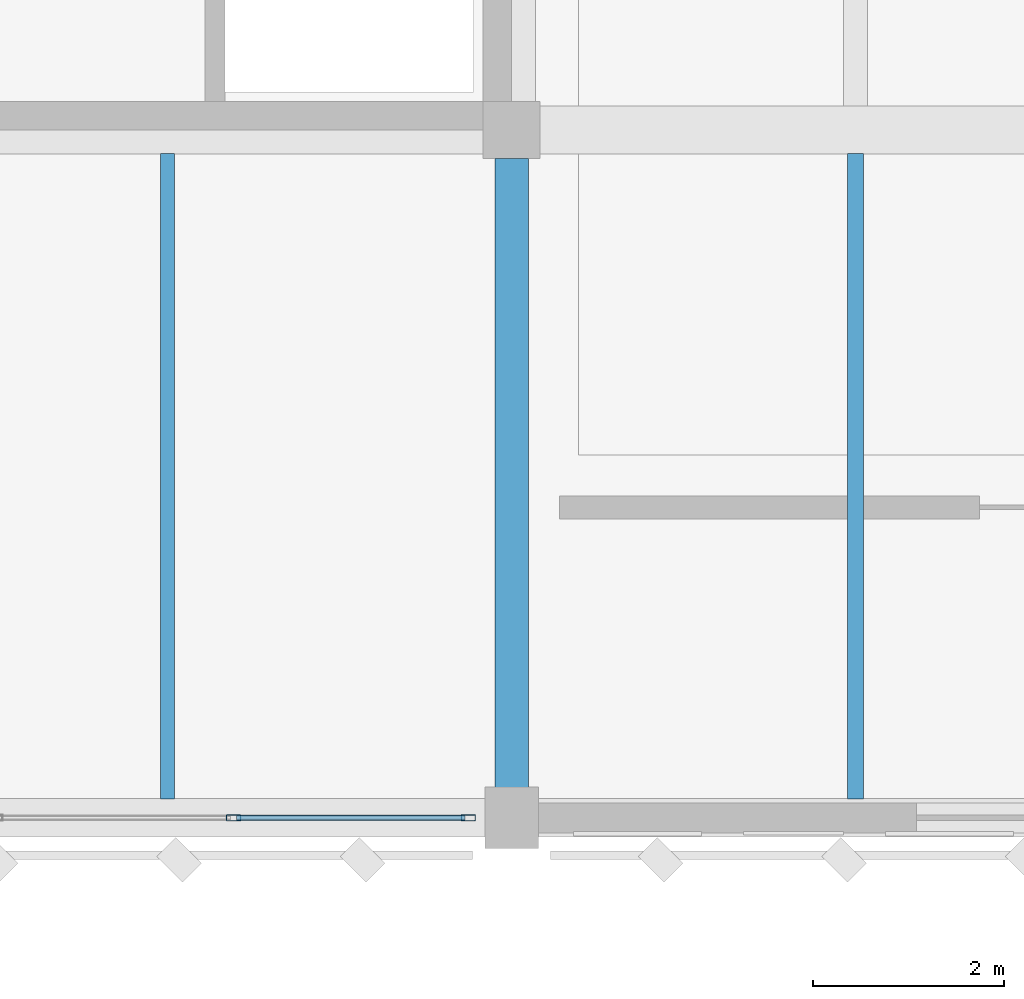
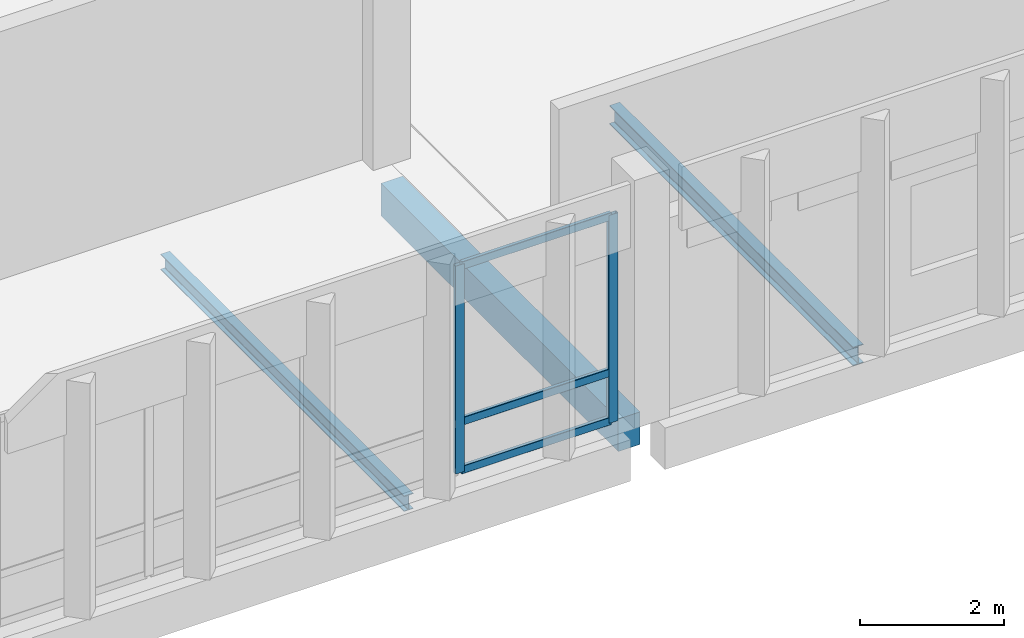
# One storey, part 56 of 158: 5 members, 3 beams, 1 element without a shape of its own.
"""IFC4 building model written with IfcOpenShell, lengths in metres."""

from ifc_helpers import new_model, si_unit, direction, frame, origin, origin_2d, place, context, subcontext, project, spatial, rectangle, hollow_rectangle, i_section, extrude, material, material_profile, profile_set, type_object, element, aggregate, save


model = new_model("IFC4")

# Units and contexts
model_context = context("Model", 3, precision=1e-05, world=origin(), true_north=direction((0.0, 1.0)))
body_context = subcontext(model_context, "Body", "Model", "MODEL_VIEW")
ifc_project = project(units=[si_unit("LENGTHUNIT", "METRE"), si_unit("AREAUNIT", "SQUARE_METRE"), si_unit("VOLUMEUNIT", "CUBIC_METRE"), si_unit("PLANEANGLEUNIT", "RADIAN"), si_unit("MASSUNIT", "GRAM", prefix="KILO")], contexts=[model_context])

# Site, building, storey
site_placement = place(None, origin())
site = spatial("IfcSite", under=ifc_project, at=site_placement, CompositionType="ELEMENT")
building_placement = place(site_placement, origin())
building = spatial("IfcBuilding", under=site, at=building_placement, Name="Lusvemor Sports Hall", CompositionType="ELEMENT")
storey_placement = place(building_placement, frame((0.0, 0.0, 10.800048828125)))
storey = spatial("IfcBuildingStorey", under=building, at=storey_placement, Name="L02", CompositionType="ELEMENT", Elevation=10.800048828125)

# Beam
ifc_material_1 = material(Name="Concrete C40/50", Category="concrete")
ifc_material_profile_1 = material_profile(ifc_material_1, rectangle(XDim=0.35009765625, YDim=0.550048828125, at=origin_2d()), Name="RC350x550")
ifc_profile_set_1 = profile_set([ifc_material_profile_1], Name="Concrete C40/50")
beam_type_1 = type_object("IfcBeamType", Name="BEAM_RC_550", PredefinedType="BEAM", material=ifc_profile_set_1)
beam_1_placement = place(storey_placement, frame((64.800048828125, 97.51611328125, -0.53515625), z_axis=(0.0, 1.0, 0.0), x_axis=(-1.0, 0.0, 0.0)))
element("IfcBeam", 1, at=beam_1_placement, inside=storey, type_object=beam_type_1, Name="Beam L02 7:N-P", PredefinedType="BEAM", context=body_context, shape_type="SweptSolid", body=[
    extrude(rectangle(XDim=0.35009765625, YDim=0.550048828125, at=origin_2d()), origin(), (0.0, 0.0, 1.0), 6.587890625),
])

# Curtain wall, members
ifc_material_2 = material(Name="Thermally broken bronze-anodized aluminium", Category="aluminium")
curtain_wall_type = type_object("IfcCurtainWallType", Name="CW_WING_B", PredefinedType="NOTDEFINED", material=ifc_material_2)
curtain_wall_placement = place(storey_placement, origin())
curtain_wall = element("IfcCurtainWall", 2, at=curtain_wall_placement, inside=storey, type_object=curtain_wall_type, Name="Curtain Wall CW-L02-S-3-3", PredefinedType="NOTDEFINED")
ifc_material_3 = material(Name="Thermally broken bronze-anodized aluminium", Category="aluminium")
ifc_material_profile_2 = material_profile(ifc_material_3, hollow_rectangle(XDim=0.06494140625, YDim=0.14990234375, WallThickness=0.00390625, InnerFilletRadius=0.00390625, OuterFilletRadius=0.008056640625, at=origin_2d()), Name="CWMUL150x65x4")
ifc_profile_set_2 = profile_set([ifc_material_profile_2], Name="Thermally broken bronze-anodized aluminium")
member_type_1 = type_object("IfcMemberType", Name="CW_MUL_B", PredefinedType="MULLION", material=ifc_profile_set_2)
member_1_placement = place(storey_placement, frame((64.347412109375, 97.199951171875, 0.0), z_axis=(0.0, 0.0, 1.0), x_axis=(0.0, -1.0, 0.0)))
member_1 = element("IfcMember", 3, at=member_1_placement, type_object=member_type_1, Name="CW02 mullion 1", PredefinedType="MULLION", context=body_context, shape_type="SweptSolid", body=[
    extrude(hollow_rectangle(XDim=0.06494140625, YDim=0.14990234375, WallThickness=0.00390625, InnerFilletRadius=0.00390625, OuterFilletRadius=0.008056640625, at=origin_2d()), origin(), (0.0, 0.0, 1.0), 3.52001953125),
])
member_2_placement = place(storey_placement, frame((61.889892578125, 97.199951171875, 0.0), z_axis=(0.0, 0.0, 1.0), x_axis=(0.0, -1.0, 0.0)))
member_2 = element("IfcMember", 4, at=member_2_placement, type_object=member_type_1, Name="CW02 mullion 2", PredefinedType="MULLION", context=body_context, shape_type="SweptSolid", body=[
    extrude(hollow_rectangle(XDim=0.06494140625, YDim=0.14990234375, WallThickness=0.00390625, InnerFilletRadius=0.00390625, OuterFilletRadius=0.008056640625, at=origin_2d()), origin(), (0.0, 0.0, 1.0), 3.52001953125),
])
ifc_material_4 = material(Name="Thermally broken bronze-anodized aluminium", Category="aluminium")
ifc_material_profile_3 = material_profile(ifc_material_4, hollow_rectangle(XDim=0.06005859375, YDim=0.135009765625, WallThickness=0.00390625, InnerFilletRadius=0.00390625, OuterFilletRadius=0.008056640625, at=origin_2d()), Name="CWTRN135x60x4")
ifc_profile_set_3 = profile_set([ifc_material_profile_3], Name="Thermally broken bronze-anodized aluminium")
member_type_2 = type_object("IfcMemberType", Name="CW_TRN_B", PredefinedType="USERDEFINED", material=ifc_profile_set_3)
member_3_placement = place(storey_placement, frame((64.31494140625, 97.199951171875, 0.030029296875), z_axis=(-1.0, 0.0, 0.0), x_axis=(0.0, -1.0, 0.0)))
member_3 = element("IfcMember", 5, at=member_3_placement, type_object=member_type_2, Name="CW02 transom 1.1", ObjectType="TRANSOM", PredefinedType="USERDEFINED", context=body_context, shape_type="SweptSolid", body=[
    extrude(hollow_rectangle(XDim=0.06005859375, YDim=0.135009765625, WallThickness=0.00390625, InnerFilletRadius=0.00390625, OuterFilletRadius=0.008056640625, at=origin_2d()), origin(), (0.0, 0.0, 1.0), 2.392333984375),
])
member_4_placement = place(storey_placement, frame((64.31494140625, 97.199951171875, 0.849853515625), z_axis=(-1.0, 0.0, 0.0), x_axis=(0.0, -1.0, 0.0)))
member_4 = element("IfcMember", 6, at=member_4_placement, type_object=member_type_2, Name="CW02 transom 1.2", ObjectType="TRANSOM", PredefinedType="USERDEFINED", context=body_context, shape_type="SweptSolid", body=[
    extrude(hollow_rectangle(XDim=0.06005859375, YDim=0.135009765625, WallThickness=0.00390625, InnerFilletRadius=0.00390625, OuterFilletRadius=0.008056640625, at=origin_2d()), origin(), (0.0, 0.0, 1.0), 2.392333984375),
])
member_5_placement = place(storey_placement, frame((64.31494140625, 97.199951171875, 3.489990234375), z_axis=(-1.0, 0.0, 0.0), x_axis=(0.0, -1.0, 0.0)))
member_5 = element("IfcMember", 7, at=member_5_placement, type_object=member_type_2, Name="CW02 transom 1.3", ObjectType="TRANSOM", PredefinedType="USERDEFINED", context=body_context, shape_type="SweptSolid", body=[
    extrude(hollow_rectangle(XDim=0.06005859375, YDim=0.135009765625, WallThickness=0.00390625, InnerFilletRadius=0.00390625, OuterFilletRadius=0.008056640625, at=origin_2d()), origin(), (0.0, 0.0, 1.0), 2.392333984375),
])
aggregate(curtain_wall, [member_1, member_2, member_3, member_4, member_5])

# Beams
ifc_material_5 = material(Name="Steel S355", Category="steel")
ifc_material_profile_4 = material_profile(ifc_material_5, i_section(OverallWidth=0.14794921875, OverallDepth=0.26611328125, WebThickness=0.007568359375, FlangeThickness=0.012939453125, FilletRadius=0.012939453125, at=origin_2d()), Name="W250x44.8")
ifc_profile_set_4 = profile_set([ifc_material_profile_4], Name="Steel S355")
beam_type_2 = type_object("IfcBeamType", Name="JOIST_ST_250M", PredefinedType="JOIST", material=ifc_profile_set_4)
beam_2_placement = place(storey_placement, frame((61.199951171875, 97.39599609375, -0.39697265625), z_axis=(0.0, 1.0, 0.0), x_axis=(-1.0, 0.0, 0.0)))
element("IfcBeam", 8, at=beam_2_placement, inside=storey, type_object=beam_type_2, Name="Secondary Joist L02 6-7/N-P #2", PredefinedType="JOIST", context=body_context, shape_type="SweptSolid", body=[
    extrude(i_section(OverallWidth=0.14794921875, OverallDepth=0.26611328125, WebThickness=0.007568359375, FlangeThickness=0.012939453125, FilletRadius=0.012939453125, at=origin_2d()), origin(), (0.0, 0.0, 1.0), 6.758056640625),
])
ifc_material_6 = material(Name="Steel S355", Category="steel")
ifc_material_profile_5 = material_profile(ifc_material_6, i_section(OverallWidth=0.1669921875, OverallDepth=0.31689453125, WebThickness=0.007568359375, FlangeThickness=0.01318359375, FilletRadius=0.014892578125, at=origin_2d()), Name="W310x52.0")
ifc_profile_set_5 = profile_set([ifc_material_profile_5], Name="Steel S355")
beam_type_3 = type_object("IfcBeamType", Name="JOIST_ST_310M", PredefinedType="JOIST", material=ifc_profile_set_5)
beam_3_placement = place(storey_placement, frame((68.39990234375, 97.39599609375, -0.422607421875), z_axis=(0.0, 1.0, 0.0), x_axis=(-1.0, 0.0, 0.0)))
element("IfcBeam", 9, at=beam_3_placement, inside=storey, type_object=beam_type_3, Name="Secondary Joist L02 7-8/N-P #1", PredefinedType="JOIST", context=body_context, shape_type="SweptSolid", body=[
    extrude(i_section(OverallWidth=0.1669921875, OverallDepth=0.31689453125, WebThickness=0.007568359375, FlangeThickness=0.01318359375, FilletRadius=0.014892578125, at=origin_2d()), origin(), (0.0, 0.0, 1.0), 6.758056640625),
])

save(model, "model.ifc")
